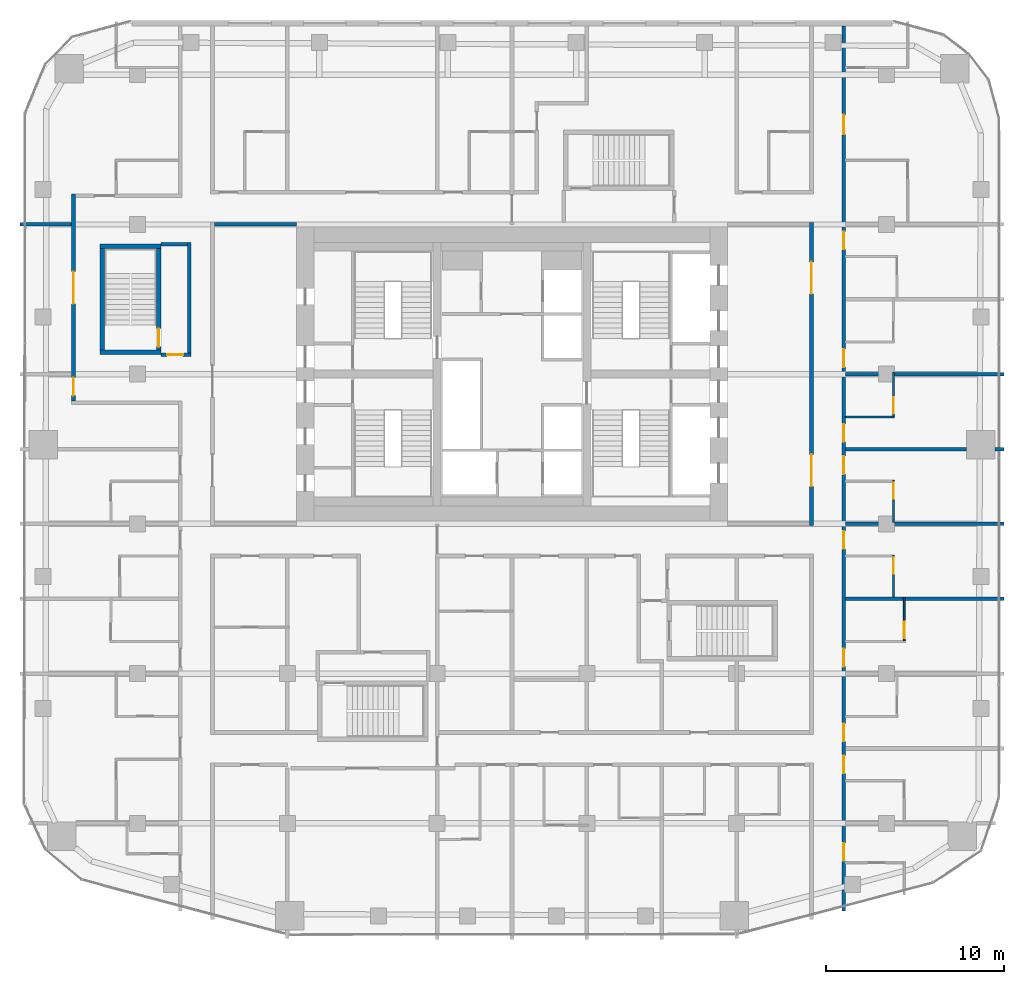
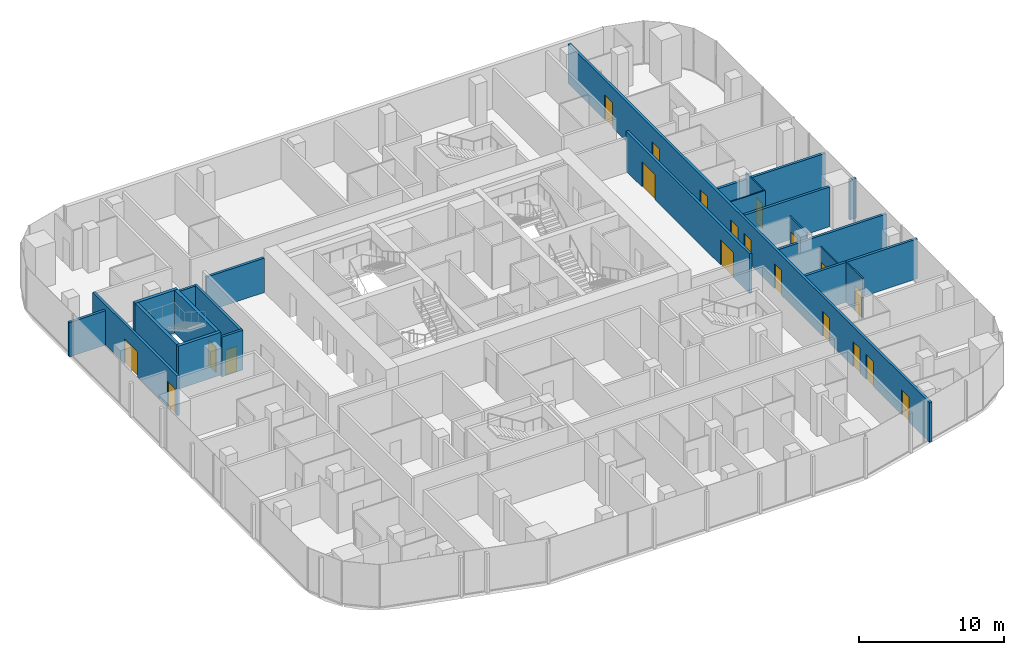
# One storey, part 18 of 23: 22 walls, 20 doors, 20 openings.
"""IFC4 building model written with IfcOpenShell, lengths in metres."""

import ifcopenshell
import ifcopenshell.guid

model = None  # the IFC model being written
_history = None  # IfcOwnerHistory: only IFC2X3 demands one
_inside = {}  # id of a spatial element -> (the spatial element, [elements in it])
_under = {}  # id of a project, library or spatial element -> (it, [spatial elements below it])
_declared = {}  # id of a project -> (the project, [libraries it declares])
_typed = {}  # id of a type object -> (the type object, [elements of that type])
_made_of = {}  # id of a material, layer set ... -> (it, [elements and type objects made of it])


def new_model(schema):
    """Start an empty IFC model of exactly this schema.

    Asked for "IFC4X3", IfcOpenShell would pick the latest addendum, in which some entities
    have other attributes; the version numbers below select the first issue.
    IFC2X3 requires an IfcOwnerHistory on every rooted entity: one is made here for all.
    """
    global model, _history
    if schema == "IFC4X3":
        model = ifcopenshell.file(schema_version=(4, 3, 0, 0))
    else:
        model = ifcopenshell.file(schema=schema)
    _inside.clear()
    _under.clear()
    _declared.clear()
    _typed.clear()
    _made_of.clear()
    _history = None
    if model.schema == "IFC2X3":
        org = make("IfcOrganization", Name="unknown")
        user = make(
            "IfcPersonAndOrganization",
            ThePerson=make("IfcPerson", FamilyName="unknown"),
            TheOrganization=org,
        )
        app = make(
            "IfcApplication",
            ApplicationDeveloper=org,
            Version="unknown",
            ApplicationFullName="unknown",
            ApplicationIdentifier="unknown",
        )
        _history = make(
            "IfcOwnerHistory",
            OwningUser=user,
            OwningApplication=app,
            ChangeAction="ADDED",
            CreationDate=0,
        )
    return model


def make(cls, **values):
    """One entity of the class cls with the attributes given. An attribute that is None is left unset."""
    return model.create_entity(
        cls, **{name: value for name, value in values.items() if value is not None}
    )


def rooted(cls, **values):
    """An entity with a GlobalId (a new one), such as an element, a storey or a relation."""
    return make(cls, GlobalId=ifcopenshell.guid.new(), OwnerHistory=_history, **values)


def si_unit(unit_type, name, prefix=None):
    """IfcSIUnit, for example si_unit("LENGTHUNIT", "METRE", prefix="MILLI")."""
    return make("IfcSIUnit", UnitType=unit_type, Prefix=prefix, Name=name)


def assignment(units):
    """IfcUnitAssignment: the units of a project."""
    return None if units is None else make("IfcUnitAssignment", Units=units)


def point(xyz):
    """IfcCartesianPoint."""
    return None if xyz is None else make("IfcCartesianPoint", Coordinates=xyz)


def direction(xyz):
    """IfcDirection."""
    return None if xyz is None else make("IfcDirection", DirectionRatios=xyz)


def frame(location, z_axis=None, x_axis=None):
    """IfcAxis2Placement3D, a coordinate frame: its origin and axes. An axis left out is left unset."""
    return make(
        "IfcAxis2Placement3D",
        Location=point(location),
        Axis=direction(z_axis),
        RefDirection=direction(x_axis),
    )


def frame_2d(location, x_axis=None):
    """IfcAxis2Placement2D, a coordinate frame in the plane: its origin and x axis."""
    return make(
        "IfcAxis2Placement2D", Location=point(location), RefDirection=direction(x_axis)
    )


def origin():
    """The frame at (0, 0, 0) with its axes left unset."""
    return frame((0.0, 0.0, 0.0))


def place(relative_to, where):
    """IfcLocalPlacement: puts the frame where relative to a parent placement (None: the world)."""
    return make(
        "IfcLocalPlacement", PlacementRelTo=relative_to, RelativePlacement=where
    )


def context(
    kind, dimensions, precision=None, world=None, true_north=None, identifier=None
):
    """IfcGeometricRepresentationContext, for example the 3D "Model" context."""
    return make(
        "IfcGeometricRepresentationContext",
        ContextIdentifier=identifier,
        ContextType=kind,
        CoordinateSpaceDimension=dimensions,
        Precision=precision,
        WorldCoordinateSystem=world,
        TrueNorth=true_north,
    )


def subcontext(parent, identifier, kind, view, scale=None):
    """IfcGeometricRepresentationSubContext, for example "Body" below "Model"."""
    return make(
        "IfcGeometricRepresentationSubContext",
        ContextIdentifier=identifier,
        ContextType=kind,
        ParentContext=parent,
        TargetScale=scale,
        TargetView=view,
    )


def project(units=None, contexts=None):
    """IfcProject with its units and contexts."""
    return rooted(
        "IfcProject",
        Name="project",
        RepresentationContexts=contexts,
        UnitsInContext=assignment(units),
    )


def spatial(cls, under=None, at=None, **own):
    """A site, building, storey or space (cls), placed at a placement, below another one or the project."""
    s = rooted(cls, ObjectPlacement=at, **own)
    if under is not None:
        _under.setdefault(under.id(), (under, []))[1].append(s)
    return s


def profile(cls, at=None, kind="AREA", **sizes):
    """A parametric profile (cls). Its sizes go by their IFC names, for example OverallWidth=200.0."""
    return make(cls, ProfileType=kind, Position=at, **sizes)


def rectangle(**sizes):
    """IfcRectangleProfileDef."""
    return profile("IfcRectangleProfileDef", **sizes)


def extrude(swept, where, along, depth):
    """IfcExtrudedAreaSolid: the profile swept, set in the frame where, extruded along a direction by depth."""
    return make(
        "IfcExtrudedAreaSolid",
        SweptArea=swept,
        Position=where,
        ExtrudedDirection=direction(along),
        Depth=depth,
    )


def shape(context_of_items, identifier, shape_type, items):
    """IfcShapeRepresentation: the items that make up one representation, for example the "Body"."""
    return make(
        "IfcShapeRepresentation",
        ContextOfItems=context_of_items,
        RepresentationIdentifier=identifier,
        RepresentationType=shape_type,
        Items=items,
    )


def material(Name=None, Category=None):
    """IfcMaterial."""
    return make("IfcMaterial", Name=Name, Category=Category)


def layer(
    of_material, thickness, ventilated=None, Name=None, Category=None, Priority=None
):
    """IfcMaterialLayer: one layer of a wall or slab, of a material (None: an air gap)."""
    return make(
        "IfcMaterialLayer",
        Material=of_material,
        LayerThickness=thickness,
        IsVentilated=ventilated,
        Name=Name,
        Category=Category,
        Priority=Priority,
    )


def layer_set(layers, Name=None):
    """IfcMaterialLayerSet."""
    return make("IfcMaterialLayerSet", MaterialLayers=layers, LayerSetName=Name)


def made_of(thing, what):
    """Note that an element or type object is made of a material, layer set ...; save() writes the relation."""
    if what is not None:
        _made_of.setdefault(what.id(), (what, []))[1].append(thing)
    return thing


def type_object(cls, material=None, **own):
    """A type object (cls), such as IfcWallType, which elements share."""
    return made_of(rooted(cls, **own), material)


def element(
    cls,
    number,
    at=None,
    inside=None,
    cuts=None,
    type_object=None,
    material=None,
    context=None,
    identifier="Body",
    shape_type=None,
    held_by="IfcProductDefinitionShape",
    body=None,
    shapes=None,
    **own,
):
    """One element of the class cls, such as IfcWall. Its Tag is "e" and its number.

    at: its placement. inside: the storey or other place that contains it. cuts: it is an
    opening in that element (IfcRelVoidsElement). A single representation is given by context,
    identifier, shape_type and body (its items); several are given by shapes. held_by: the class
    of the entity that holds the representations. save() writes the other relations.
    """
    e = rooted(cls, Tag="e%d" % number, ObjectPlacement=at, **own)
    if body is not None:
        shapes = [shape(context, identifier, shape_type, body)]
    if shapes is not None:
        e.Representation = make(held_by, Representations=shapes)
    if inside is not None:
        _inside.setdefault(inside.id(), (inside, []))[1].append(e)
    if cuts is not None:
        rooted(
            "IfcRelVoidsElement", RelatingBuildingElement=cuts, RelatedOpeningElement=e
        )
    if type_object is not None:
        _typed.setdefault(type_object.id(), (type_object, []))[1].append(e)
    return made_of(e, material)


def fill(opening, filler):
    """IfcRelFillsElement: the door or window that sits in an opening."""
    return rooted(
        "IfcRelFillsElement",
        RelatingOpeningElement=opening,
        RelatedBuildingElement=filler,
    )


def aggregate(whole, parts):
    """IfcRelAggregates: a whole, such as a stair, and the parts it consists of."""
    return rooted("IfcRelAggregates", RelatingObject=whole, RelatedObjects=parts)


def save(model, path):
    """Write the relations noted so far, then the file.

    IfcRelAggregates (storeys below a building ...), IfcRelContainedInSpatialStructure (elements
    in a storey), IfcRelDefinesByType, IfcRelAssociatesMaterial and IfcRelDeclares: one each for
    every whole, place, type object, material and project.
    """
    for whole, parts in _under.values():
        aggregate(whole, parts)
    for where, things in _inside.values():
        rooted(
            "IfcRelContainedInSpatialStructure",
            RelatedElements=things,
            RelatingStructure=where,
        )
    for kind, things in _typed.values():
        rooted("IfcRelDefinesByType", RelatedObjects=things, RelatingType=kind)
    for what, things in _made_of.values():
        rooted("IfcRelAssociatesMaterial", RelatedObjects=things, RelatingMaterial=what)
    for by, libraries in _declared.values():
        rooted("IfcRelDeclares", RelatingContext=by, RelatedDefinitions=libraries)
    model.write(path)


model = new_model("IFC4")

# Units and contexts
model_context = context("Model", 3, precision=1e-05, world=origin(), true_north=direction((0.0, 1.0)))
body_context = subcontext(model_context, "Body", "Model", "MODEL_VIEW")
ifc_project = project(units=[si_unit("LENGTHUNIT", "METRE"), si_unit("AREAUNIT", "SQUARE_METRE"), si_unit("VOLUMEUNIT", "CUBIC_METRE"), si_unit("PLANEANGLEUNIT", "RADIAN"), si_unit("MASSUNIT", "GRAM", prefix="KILO")], contexts=[model_context])

# Site, building, storey
site_placement = place(None, origin())
site = spatial("IfcSite", under=ifc_project, at=site_placement, CompositionType="ELEMENT")
building_placement = place(site_placement, origin())
building = spatial("IfcBuilding", under=site, at=building_placement, Name="Marenta Gate Hotel Tower", CompositionType="ELEMENT")
storey_placement = place(building_placement, frame((0.0, 0.0, 140.89990234375)))
storey = spatial("IfcBuildingStorey", under=building, at=storey_placement, Name="L32", CompositionType="ELEMENT", Elevation=140.89990234375)

# Wall
ifc_material_1 = material(Name="Concrete blockwork", Category="masonry")
ifc_layer_1 = layer(ifc_material_1, 0.199951171875)
ifc_layer_set_1 = layer_set([ifc_layer_1], Name="Concrete blockwork")
wall_type_1 = type_object("IfcWallType", Name="Core boundary wall 200 REI 180", PredefinedType="PARTITIONING", material=ifc_layer_set_1)
wall_1_placement = place(storey_placement, frame((-16.699951171875, 16.800048828125, 0.0), z_axis=(0.0, 0.0, 1.0), x_axis=(1.0, 0.0, 0.0)))
element("IfcWall", 1, at=wall_1_placement, inside=storey, type_object=wall_type_1, Name="L32-CP-EW-WN", PredefinedType="PARTITIONING", context=body_context, shape_type="SweptSolid", body=[
    extrude(rectangle(XDim=4.599853515625, YDim=0.199951171875, at=frame_2d((2.2998046875, 0.0))), origin(), (0.0, 0.0, 1.0), 2.89013671875),
])

# Wall, openings, doors
wall_2_placement = place(storey_placement, frame((16.800048828125, -0.10009765625, 0.0), z_axis=(0.0, 0.0, 1.0), x_axis=(0.0, 1.0, 0.0)))
wall_2 = element("IfcWall", 2, at=wall_2_placement, inside=storey, type_object=wall_type_1, Name="L32-CP-BW-E", PredefinedType="PARTITIONING", context=body_context, shape_type="SweptSolid", body=[
    extrude(rectangle(XDim=17.0, YDim=0.199951171875, at=frame_2d((8.5, 0.0))), origin(), (0.0, 0.0, 1.0), 3.340087890625),
])
opening_1_placement = place(wall_2_placement, frame((2.199951171875, 0.0, 0.0)))
opening_1 = element("IfcOpeningElement", 3, at=opening_1_placement, cuts=wall_2, Name="Opening ED-Ea-B", PredefinedType="OPENING", context=body_context, shape_type="SweptSolid", body=[
    extrude(rectangle(XDim=1.800048828125, YDim=2.10009765625, at=frame_2d((0.89990234375, 1.050048828125))), frame((0.0, 0.10009765625, 0.0), z_axis=(0.0, -1.0, 0.0), x_axis=(1.0, 0.0, 0.0)), (0.0, 0.0, 1.0), 0.199951171875),
])
opening_2_placement = place(wall_2_placement, frame((13.0, 0.0, 0.0)))
opening_2 = element("IfcOpeningElement", 4, at=opening_2_placement, cuts=wall_2, Name="Opening ED-Eb-B", PredefinedType="OPENING", context=body_context, shape_type="SweptSolid", body=[
    extrude(rectangle(XDim=1.800048828125, YDim=2.10009765625, at=frame_2d((0.89990234375, 1.050048828125))), frame((0.0, 0.10009765625, 0.0), z_axis=(0.0, -1.0, 0.0), x_axis=(1.0, 0.0, 0.0)), (0.0, 0.0, 1.0), 0.199951171875),
])
ifc_material_2 = material(Name="Steel", Category="steel")
door_type_1 = type_object("IfcDoorType", Name="Core lobby entrance door 1800x2100 EI 60", OperationType="DOUBLE_DOOR_SINGLE_SWING", PredefinedType="DOOR", material=ifc_material_2)
door_1_placement = place(opening_1_placement, origin())
door_1 = element("IfcDoor", 5, at=door_1_placement, inside=storey, type_object=door_type_1, Name="ED-Ea-B", OperationType="DOUBLE_DOOR_SINGLE_SWING", OverallHeight=2.10009765625, OverallWidth=1.800048828125, PredefinedType="DOOR", context=body_context, shape_type="SweptSolid", body=[
    extrude(rectangle(XDim=1.800048828125, YDim=2.10009765625, at=frame_2d((0.89990234375, 1.050048828125))), frame((0.0, 0.02490234375, 0.0), z_axis=(0.0, -1.0, 0.0), x_axis=(1.0, 0.0, 0.0)), (0.0, 0.0, 1.0), 0.050048828125),
])
fill(opening_1, door_1)
door_2_placement = place(opening_2_placement, origin())
door_2 = element("IfcDoor", 6, at=door_2_placement, inside=storey, type_object=door_type_1, Name="ED-Eb-B", OperationType="DOUBLE_DOOR_SINGLE_SWING", OverallHeight=2.10009765625, OverallWidth=1.800048828125, PredefinedType="DOOR", context=body_context, shape_type="SweptSolid", body=[
    extrude(rectangle(XDim=1.800048828125, YDim=2.10009765625, at=frame_2d((0.89990234375, 1.050048828125))), frame((0.0, 0.02490234375, 0.0), z_axis=(0.0, -1.0, 0.0), x_axis=(1.0, 0.0, 0.0)), (0.0, 0.0, 1.0), 0.050048828125),
])
fill(opening_2, door_2)

# Walls
ifc_material_3 = material(Name="Concrete C40", Category="concrete")
ifc_layer_2 = layer(ifc_material_3, 0.25)
ifc_layer_set_2 = layer_set([ifc_layer_2], Name="Concrete C40")
wall_type_2 = type_object("IfcWallType", Name="Remote stair enclosure wall 250 REI 180", PredefinedType="SHEAR", material=ifc_layer_set_2)
for number, where, z_axis, x_axis, name in (
    (7, (-23.10009765625, 9.625, 0.10009765625), (0.0, 0.0, 1.0), (1.0, 0.0, 0.0), "L32-RS-Z1-3-W1"),
    (8, (-23.10009765625, 15.574951171875, 0.10009765625), (0.0, 0.0, 1.0), (1.0, 0.0, 0.0), "L32-RS-Z1-3-W2"),
):
    element("IfcWall", number, at=place(storey_placement, frame(where, z_axis=z_axis, x_axis=x_axis)), inside=storey, type_object=wall_type_2, Name=name, PredefinedType="SHEAR", context=body_context, shape_type="SweptSolid", body=[
        extrude(rectangle(XDim=3.400146484375, YDim=0.25, at=frame_2d((1.7001953125, 0.0))), origin(), (0.0, 0.0, 1.0), 3.60009765625),
    ])
wall_3_placement = place(storey_placement, frame((-22.97509765625, 9.75, 0.10009765625), z_axis=(0.0, 0.0, 1.0), x_axis=(0.0, 1.0, 0.0)))
element("IfcWall", 9, at=wall_3_placement, inside=storey, type_object=wall_type_2, Name="L32-RS-Z1-3-W3", PredefinedType="SHEAR", context=body_context, shape_type="SweptSolid", body=[
    extrude(rectangle(XDim=5.699951171875, YDim=0.25, at=frame_2d((2.85009765625, 0.0))), origin(), (0.0, 0.0, 1.0), 3.60009765625),
])

# Wall, opening, door
wall_4_placement = place(storey_placement, frame((-19.824951171875, 9.75, 0.10009765625), z_axis=(0.0, 0.0, 1.0), x_axis=(0.0, 1.0, 0.0)))
wall_4 = element("IfcWall", 10, at=wall_4_placement, inside=storey, type_object=wall_type_2, Name="L32-RS-Z1-3-W4", PredefinedType="SHEAR", context=body_context, shape_type="SweptSolid", body=[
    extrude(rectangle(XDim=5.699951171875, YDim=0.25, at=frame_2d((2.85009765625, 0.0))), origin(), (0.0, 0.0, 1.0), 3.60009765625),
])
opening_3_placement = place(wall_4_placement, frame((0.199951171875, 0.0, 0.0)))
opening_3 = element("IfcOpeningElement", 11, at=opening_3_placement, cuts=wall_4, Name="Opening VD", PredefinedType="OPENING", context=body_context, shape_type="SweptSolid", body=[
    extrude(rectangle(XDim=1.0, YDim=2.10009765625, at=frame_2d((0.5, 1.050048828125))), frame((0.0, 0.125, 0.0), z_axis=(0.0, -1.0, 0.0), x_axis=(1.0, 0.0, 0.0)), (0.0, 0.0, 1.0), 0.25),
])
ifc_material_4 = material(Name="Steel", Category="steel")
door_type_2 = type_object("IfcDoorType", Name="Stair vestibule door 1000x2100 FD60", OperationType="SINGLE_SWING_LEFT", PredefinedType="DOOR", material=ifc_material_4)
door_3_placement = place(opening_3_placement, origin())
door_3 = element("IfcDoor", 12, at=door_3_placement, inside=storey, type_object=door_type_2, Name="VD", OperationType="SINGLE_SWING_LEFT", OverallHeight=2.10009765625, OverallWidth=1.0, PredefinedType="DOOR", context=body_context, shape_type="SweptSolid", body=[
    extrude(rectangle(XDim=1.0, YDim=2.10009765625, at=frame_2d((0.5, 1.050048828125))), frame((0.0, 0.02490234375, 0.0), z_axis=(0.0, -1.0, 0.0), x_axis=(1.0, 0.0, 0.0)), (0.0, 0.0, 1.0), 0.050048828125),
])
fill(opening_3, door_3)

# Wall, openings, doors
ifc_material_5 = material(Name="Gypsum board on steel stud", Category="steel")
ifc_layer_3 = layer(ifc_material_5, 0.199951171875)
ifc_layer_set_3 = layer_set([ifc_layer_3], Name="Gypsum board on steel stud")
wall_type_3 = type_object("IfcWallType", Name="Room corridor wall 200 EI 60", PredefinedType="PARTITIONING", material=ifc_layer_set_3)
wall_5_placement = place(storey_placement, frame((18.60009765625, -21.7080078125, 0.0), z_axis=(0.0, 0.0, 1.0), x_axis=(0.0, 1.0, 0.0)))
wall_5 = element("IfcWall", 13, at=wall_5_placement, inside=storey, type_object=wall_type_3, Name="L32-PTN-W013", PredefinedType="PARTITIONING", context=body_context, shape_type="SweptSolid", body=[
    extrude(rectangle(XDim=49.64794921875, YDim=0.199951171875, at=frame_2d((24.823974609375, 0.0))), origin(), (0.0, 0.0, 1.0), 3.340087890625),
])
opening_4_placement = place(wall_5_placement, frame((2.800048828125, 0.0, 0.0)))
opening_4 = element("IfcOpeningElement", 14, at=opening_4_placement, cuts=wall_5, Name="Opening G12-08", PredefinedType="OPENING", context=body_context, shape_type="SweptSolid", body=[
    extrude(rectangle(XDim=1.0, YDim=2.10009765625, at=frame_2d((0.5, 1.050048828125))), frame((0.0, 0.10009765625, 0.0), z_axis=(0.0, -1.0, 0.0), x_axis=(1.0, 0.0, 0.0)), (0.0, 0.0, 1.0), 0.199951171875),
])
opening_5_placement = place(wall_5_placement, frame((7.7080078125, 0.0, 0.0)))
opening_5 = element("IfcOpeningElement", 15, at=opening_5_placement, cuts=wall_5, Name="Opening G12-10", PredefinedType="OPENING", context=body_context, shape_type="SweptSolid", body=[
    extrude(rectangle(XDim=1.0, YDim=2.10009765625, at=frame_2d((0.5, 1.050048828125))), frame((0.0, 0.10009765625, 0.0), z_axis=(0.0, -1.0, 0.0), x_axis=(1.0, 0.0, 0.0)), (0.0, 0.0, 1.0), 0.199951171875),
])
opening_6_placement = place(wall_5_placement, frame((9.508056640625, 0.0, 0.0)))
opening_6 = element("IfcOpeningElement", 16, at=opening_6_placement, cuts=wall_5, Name="Opening G12-12", PredefinedType="OPENING", context=body_context, shape_type="SweptSolid", body=[
    extrude(rectangle(XDim=1.0, YDim=2.10009765625, at=frame_2d((0.5, 1.050048828125))), frame((0.0, 0.10009765625, 0.0), z_axis=(0.0, -1.0, 0.0), x_axis=(1.0, 0.0, 0.0)), (0.0, 0.0, 1.0), 0.199951171875),
])
opening_7_placement = place(wall_5_placement, frame((13.7080078125, 0.0, 0.0)))
opening_7 = element("IfcOpeningElement", 17, at=opening_7_placement, cuts=wall_5, Name="Opening G12-14", PredefinedType="OPENING", context=body_context, shape_type="SweptSolid", body=[
    extrude(rectangle(XDim=1.0, YDim=2.10009765625, at=frame_2d((0.5, 1.050048828125))), frame((0.0, 0.10009765625, 0.0), z_axis=(0.0, -1.0, 0.0), x_axis=(1.0, 0.0, 0.0)), (0.0, 0.0, 1.0), 0.199951171875),
])
opening_8_placement = place(wall_5_placement, frame((20.30810546875, 0.0, 0.0)))
opening_8 = element("IfcOpeningElement", 18, at=opening_8_placement, cuts=wall_5, Name="Opening G12-16", PredefinedType="OPENING", context=body_context, shape_type="SweptSolid", body=[
    extrude(rectangle(XDim=1.0, YDim=2.10009765625, at=frame_2d((0.5, 1.050048828125))), frame((0.0, 0.10009765625, 0.0), z_axis=(0.0, -1.0, 0.0), x_axis=(1.0, 0.0, 0.0)), (0.0, 0.0, 1.0), 0.199951171875),
])
opening_9_placement = place(wall_5_placement, frame((24.508056640625, 0.0, 0.0)))
opening_9 = element("IfcOpeningElement", 19, at=opening_9_placement, cuts=wall_5, Name="Opening G12-18", PredefinedType="OPENING", context=body_context, shape_type="SweptSolid", body=[
    extrude(rectangle(XDim=1.0, YDim=2.10009765625, at=frame_2d((0.5, 1.050048828125))), frame((0.0, 0.10009765625, 0.0), z_axis=(0.0, -1.0, 0.0), x_axis=(1.0, 0.0, 0.0)), (0.0, 0.0, 1.0), 0.199951171875),
])
opening_10_placement = place(wall_5_placement, frame((26.30810546875, 0.0, 0.0)))
opening_10 = element("IfcOpeningElement", 20, at=opening_10_placement, cuts=wall_5, Name="Opening G12-20", PredefinedType="OPENING", context=body_context, shape_type="SweptSolid", body=[
    extrude(rectangle(XDim=1.0, YDim=2.10009765625, at=frame_2d((0.5, 1.050048828125))), frame((0.0, 0.10009765625, 0.0), z_axis=(0.0, -1.0, 0.0), x_axis=(1.0, 0.0, 0.0)), (0.0, 0.0, 1.0), 0.199951171875),
])
opening_11_placement = place(wall_5_placement, frame((30.508056640625, 0.0, 0.0)))
opening_11 = element("IfcOpeningElement", 21, at=opening_11_placement, cuts=wall_5, Name="Opening G12-22", PredefinedType="OPENING", context=body_context, shape_type="SweptSolid", body=[
    extrude(rectangle(XDim=1.0, YDim=2.10009765625, at=frame_2d((0.5, 1.050048828125))), frame((0.0, 0.10009765625, 0.0), z_axis=(0.0, -1.0, 0.0), x_axis=(1.0, 0.0, 0.0)), (0.0, 0.0, 1.0), 0.199951171875),
])
opening_12_placement = place(wall_5_placement, frame((37.10791015625, 0.0, 0.0)))
opening_12 = element("IfcOpeningElement", 22, at=opening_12_placement, cuts=wall_5, Name="Opening G12-24", PredefinedType="OPENING", context=body_context, shape_type="SweptSolid", body=[
    extrude(rectangle(XDim=1.0, YDim=2.10009765625, at=frame_2d((0.5, 1.050048828125))), frame((0.0, 0.10009765625, 0.0), z_axis=(0.0, -1.0, 0.0), x_axis=(1.0, 0.0, 0.0)), (0.0, 0.0, 1.0), 0.199951171875),
])
opening_13_placement = place(wall_5_placement, frame((43.55810546875, 0.0, 0.0)))
opening_13 = element("IfcOpeningElement", 23, at=opening_13_placement, cuts=wall_5, Name="Opening G12-26", PredefinedType="OPENING", context=body_context, shape_type="SweptSolid", body=[
    extrude(rectangle(XDim=1.10009765625, YDim=2.10009765625, at=frame_2d((0.550048828125, 1.050048828125))), frame((0.0, 0.10009765625, 0.0), z_axis=(0.0, -1.0, 0.0), x_axis=(1.0, 0.0, 0.0)), (0.0, 0.0, 1.0), 0.199951171875),
])
ifc_material_6 = material(Name="Timber door leaf", Category="wood")
door_type_3 = type_object("IfcDoorType", Name="Guest room door 1000x2100 EI 30", OperationType="NOTDEFINED", PredefinedType="DOOR", material=ifc_material_6)
door_4_placement = place(opening_4_placement, origin())
door_4 = element("IfcDoor", 24, at=door_4_placement, inside=storey, type_object=door_type_3, Name="L32-PD-D008", OperationType="SINGLE_SWING_RIGHT", OverallHeight=2.10009765625, OverallWidth=1.0, PredefinedType="DOOR", context=body_context, shape_type="SweptSolid", body=[
    extrude(rectangle(XDim=1.0, YDim=2.10009765625, at=frame_2d((0.5, 1.050048828125))), frame((0.0, 0.02490234375, 0.0), z_axis=(0.0, -1.0, 0.0), x_axis=(1.0, 0.0, 0.0)), (0.0, 0.0, 1.0), 0.050048828125),
])
fill(opening_4, door_4)
door_5_placement = place(opening_5_placement, origin())
door_5 = element("IfcDoor", 25, at=door_5_placement, inside=storey, type_object=door_type_3, Name="L32-PD-D010", OperationType="SINGLE_SWING_RIGHT", OverallHeight=2.10009765625, OverallWidth=1.0, PredefinedType="DOOR", context=body_context, shape_type="SweptSolid", body=[
    extrude(rectangle(XDim=1.0, YDim=2.10009765625, at=frame_2d((0.5, 1.050048828125))), frame((0.0, 0.02490234375, 0.0), z_axis=(0.0, -1.0, 0.0), x_axis=(1.0, 0.0, 0.0)), (0.0, 0.0, 1.0), 0.050048828125),
])
fill(opening_5, door_5)
door_6_placement = place(opening_6_placement, origin())
door_6 = element("IfcDoor", 26, at=door_6_placement, inside=storey, type_object=door_type_3, Name="L32-PD-D012", OperationType="SINGLE_SWING_RIGHT", OverallHeight=2.10009765625, OverallWidth=1.0, PredefinedType="DOOR", context=body_context, shape_type="SweptSolid", body=[
    extrude(rectangle(XDim=1.0, YDim=2.10009765625, at=frame_2d((0.5, 1.050048828125))), frame((0.0, 0.02490234375, 0.0), z_axis=(0.0, -1.0, 0.0), x_axis=(1.0, 0.0, 0.0)), (0.0, 0.0, 1.0), 0.050048828125),
])
fill(opening_6, door_6)
door_7_placement = place(opening_7_placement, origin())
door_7 = element("IfcDoor", 27, at=door_7_placement, inside=storey, type_object=door_type_3, Name="L32-PD-D014", OperationType="SINGLE_SWING_RIGHT", OverallHeight=2.10009765625, OverallWidth=1.0, PredefinedType="DOOR", context=body_context, shape_type="SweptSolid", body=[
    extrude(rectangle(XDim=1.0, YDim=2.10009765625, at=frame_2d((0.5, 1.050048828125))), frame((0.0, 0.02490234375, 0.0), z_axis=(0.0, -1.0, 0.0), x_axis=(1.0, 0.0, 0.0)), (0.0, 0.0, 1.0), 0.050048828125),
])
fill(opening_7, door_7)
door_8_placement = place(opening_8_placement, origin())
door_8 = element("IfcDoor", 28, at=door_8_placement, inside=storey, type_object=door_type_3, Name="L32-PD-D016", OperationType="SINGLE_SWING_RIGHT", OverallHeight=2.10009765625, OverallWidth=1.0, PredefinedType="DOOR", context=body_context, shape_type="SweptSolid", body=[
    extrude(rectangle(XDim=1.0, YDim=2.10009765625, at=frame_2d((0.5, 1.050048828125))), frame((0.0, 0.02490234375, 0.0), z_axis=(0.0, -1.0, 0.0), x_axis=(1.0, 0.0, 0.0)), (0.0, 0.0, 1.0), 0.050048828125),
])
fill(opening_8, door_8)
door_9_placement = place(opening_9_placement, origin())
door_9 = element("IfcDoor", 29, at=door_9_placement, inside=storey, type_object=door_type_3, Name="L32-PD-D018", OperationType="SINGLE_SWING_RIGHT", OverallHeight=2.10009765625, OverallWidth=1.0, PredefinedType="DOOR", context=body_context, shape_type="SweptSolid", body=[
    extrude(rectangle(XDim=1.0, YDim=2.10009765625, at=frame_2d((0.5, 1.050048828125))), frame((0.0, 0.02490234375, 0.0), z_axis=(0.0, -1.0, 0.0), x_axis=(1.0, 0.0, 0.0)), (0.0, 0.0, 1.0), 0.050048828125),
])
fill(opening_9, door_9)
door_10_placement = place(opening_10_placement, origin())
door_10 = element("IfcDoor", 30, at=door_10_placement, inside=storey, type_object=door_type_3, Name="L32-PD-D020", OperationType="SINGLE_SWING_RIGHT", OverallHeight=2.10009765625, OverallWidth=1.0, PredefinedType="DOOR", context=body_context, shape_type="SweptSolid", body=[
    extrude(rectangle(XDim=1.0, YDim=2.10009765625, at=frame_2d((0.5, 1.050048828125))), frame((0.0, 0.02490234375, 0.0), z_axis=(0.0, -1.0, 0.0), x_axis=(1.0, 0.0, 0.0)), (0.0, 0.0, 1.0), 0.050048828125),
])
fill(opening_10, door_10)
door_11_placement = place(opening_11_placement, origin())
door_11 = element("IfcDoor", 31, at=door_11_placement, inside=storey, type_object=door_type_3, Name="L32-PD-D022", OperationType="SINGLE_SWING_RIGHT", OverallHeight=2.10009765625, OverallWidth=1.0, PredefinedType="DOOR", context=body_context, shape_type="SweptSolid", body=[
    extrude(rectangle(XDim=1.0, YDim=2.10009765625, at=frame_2d((0.5, 1.050048828125))), frame((0.0, 0.02490234375, 0.0), z_axis=(0.0, -1.0, 0.0), x_axis=(1.0, 0.0, 0.0)), (0.0, 0.0, 1.0), 0.050048828125),
])
fill(opening_11, door_11)
door_12_placement = place(opening_12_placement, origin())
door_12 = element("IfcDoor", 32, at=door_12_placement, inside=storey, type_object=door_type_3, Name="L32-PD-D024", OperationType="SINGLE_SWING_RIGHT", OverallHeight=2.10009765625, OverallWidth=1.0, PredefinedType="DOOR", context=body_context, shape_type="SweptSolid", body=[
    extrude(rectangle(XDim=1.0, YDim=2.10009765625, at=frame_2d((0.5, 1.050048828125))), frame((0.0, 0.02490234375, 0.0), z_axis=(0.0, -1.0, 0.0), x_axis=(1.0, 0.0, 0.0)), (0.0, 0.0, 1.0), 0.050048828125),
])
fill(opening_12, door_12)
ifc_material_7 = material(Name="Timber door leaf", Category="wood")
door_type_4 = type_object("IfcDoorType", Name="Guest room door 1100x2100 EI 30", OperationType="NOTDEFINED", PredefinedType="DOOR", material=ifc_material_7)
door_13_placement = place(opening_13_placement, origin())
door_13 = element("IfcDoor", 33, at=door_13_placement, inside=storey, type_object=door_type_4, Name="L32-PD-D026", OperationType="SINGLE_SWING_RIGHT", OverallHeight=2.10009765625, OverallWidth=1.10009765625, PredefinedType="DOOR", context=body_context, shape_type="SweptSolid", body=[
    extrude(rectangle(XDim=1.10009765625, YDim=2.10009765625, at=frame_2d((0.550048828125, 1.050048828125))), frame((0.0, 0.02490234375, 0.0), z_axis=(0.0, -1.0, 0.0), x_axis=(1.0, 0.0, 0.0)), (0.0, 0.0, 1.0), 0.050048828125),
])
fill(opening_13, door_13)

wall_6_placement = place(storey_placement, frame((-24.60009765625, 6.89990234375, 0.0), z_axis=(0.0, 0.0, 1.0), x_axis=(0.0, 1.0, 0.0)))
wall_6 = element("IfcWall", 34, at=wall_6_placement, inside=storey, type_object=wall_type_3, Name="L32-PTN-W128", PredefinedType="PARTITIONING", context=body_context, shape_type="SweptSolid", body=[
    extrude(rectangle(XDim=11.60009765625, YDim=0.199951171875, at=frame_2d((5.800048828125, 0.0))), origin(), (0.0, 0.0, 1.0), 3.340087890625),
])
opening_14_placement = place(wall_6_placement, frame((5.449951171875, 0.0, 0.0)))
opening_14 = element("IfcOpeningElement", 35, at=opening_14_placement, cuts=wall_6, Name="Opening G12-61", PredefinedType="OPENING", context=body_context, shape_type="SweptSolid", body=[
    extrude(rectangle(XDim=1.800048828125, YDim=2.10009765625, at=frame_2d((0.89990234375, 1.050048828125))), frame((0.0, 0.10009765625, 0.0), z_axis=(0.0, -1.0, 0.0), x_axis=(1.0, 0.0, 0.0)), (0.0, 0.0, 1.0), 0.199951171875),
])
opening_15_placement = place(wall_6_placement, frame((0.300048828125, 0.0, 0.0)))
opening_15 = element("IfcOpeningElement", 36, at=opening_15_placement, cuts=wall_6, Name="Opening G12-69", PredefinedType="OPENING", context=body_context, shape_type="SweptSolid", body=[
    extrude(rectangle(XDim=1.0, YDim=2.10009765625, at=frame_2d((0.5, 1.050048828125))), frame((0.0, 0.10009765625, 0.0), z_axis=(0.0, -1.0, 0.0), x_axis=(1.0, 0.0, 0.0)), (0.0, 0.0, 1.0), 0.199951171875),
])
ifc_material_8 = material(Name="Timber door leaf", Category="wood")
door_type_5 = type_object("IfcDoorType", Name="Room amenity door 1000x2100 EI 30", OperationType="NOTDEFINED", PredefinedType="DOOR", material=ifc_material_8)
door_14_placement = place(opening_15_placement, origin())
door_14 = element("IfcDoor", 37, at=door_14_placement, inside=storey, type_object=door_type_5, Name="L32-PD-D069", OperationType="SINGLE_SWING_LEFT", OverallHeight=2.10009765625, OverallWidth=1.0, PredefinedType="DOOR", context=body_context, shape_type="SweptSolid", body=[
    extrude(rectangle(XDim=1.0, YDim=2.10009765625, at=frame_2d((0.5, 1.050048828125))), frame((0.0, 0.02490234375, 0.0), z_axis=(0.0, -1.0, 0.0), x_axis=(1.0, 0.0, 0.0)), (0.0, 0.0, 1.0), 0.050048828125),
])
fill(opening_15, door_14)
ifc_material_9 = material(Name="Timber door leaf", Category="wood")
door_type_6 = type_object("IfcDoorType", Name="Room amenity door 1800x2100 EI 30", OperationType="DOUBLE_DOOR_SINGLE_SWING", PredefinedType="DOOR", material=ifc_material_9)
door_15_placement = place(opening_14_placement, origin())
door_15 = element("IfcDoor", 38, at=door_15_placement, inside=storey, type_object=door_type_6, Name="L32-PD-D061", OperationType="DOUBLE_DOOR_SINGLE_SWING", OverallHeight=2.10009765625, OverallWidth=1.800048828125, PredefinedType="DOOR", context=body_context, shape_type="SweptSolid", body=[
    extrude(rectangle(XDim=1.800048828125, YDim=2.10009765625, at=frame_2d((0.89990234375, 1.050048828125))), frame((0.0, 0.02490234375, 0.0), z_axis=(0.0, -1.0, 0.0), x_axis=(1.0, 0.0, 0.0)), (0.0, 0.0, 1.0), 0.050048828125),
])
fill(opening_14, door_15)

# Wall, opening, door
ifc_material_10 = material(Name="Concrete blockwork", Category="masonry")
ifc_layer_4 = layer(ifc_material_10, 0.199951171875)
ifc_layer_set_4 = layer_set([ifc_layer_4], Name="Concrete blockwork")
wall_type_4 = type_object("IfcWallType", Name="Room corridor wall 200 REI 180", PredefinedType="PARTITIONING", material=ifc_layer_set_4)
wall_7_placement = place(storey_placement, frame((-19.699951171875, 9.5, 0.0), z_axis=(0.0, 0.0, 1.0), x_axis=(1.0, 0.0, 0.0)))
wall_7 = element("IfcWall", 39, at=wall_7_placement, inside=storey, type_object=wall_type_4, Name="L32-PTN-W093", PredefinedType="PARTITIONING", context=body_context, shape_type="SweptSolid", body=[
    extrude(rectangle(XDim=1.699951171875, YDim=0.199951171875, at=frame_2d((0.85009765625, 0.0))), origin(), (0.0, 0.0, 1.0), 3.340087890625),
])
opening_16_placement = place(wall_7_placement, frame((0.35009765625, 0.0, 0.0)))
opening_16 = element("IfcOpeningElement", 40, at=opening_16_placement, cuts=wall_7, Name="Opening G12-65", PredefinedType="OPENING", context=body_context, shape_type="SweptSolid", body=[
    extrude(rectangle(XDim=0.89990234375, YDim=2.10009765625, at=frame_2d((0.449951171875, 1.050048828125))), frame((0.0, 0.10009765625, 0.0), z_axis=(0.0, -1.0, 0.0), x_axis=(1.0, 0.0, 0.0)), (0.0, 0.0, 1.0), 0.199951171875),
])
ifc_material_11 = material(Name="Hollow steel door set", Category="steel")
door_type_7 = type_object("IfcDoorType", Name="Stair vestibule door 900x2100 EI 60", OperationType="NOTDEFINED", PredefinedType="DOOR", material=ifc_material_11)
door_16_placement = place(opening_16_placement, origin())
door_16 = element("IfcDoor", 41, at=door_16_placement, inside=storey, type_object=door_type_7, Name="L32-PD-D065", OperationType="SINGLE_SWING_RIGHT", OverallHeight=2.10009765625, OverallWidth=0.89990234375, PredefinedType="DOOR", context=body_context, shape_type="SweptSolid", body=[
    extrude(rectangle(XDim=0.89990234375, YDim=2.10009765625, at=frame_2d((0.449951171875, 1.050048828125))), frame((0.0, 0.02490234375, 0.0), z_axis=(0.0, -1.0, 0.0), x_axis=(1.0, 0.0, 0.0)), (0.0, 0.0, 1.0), 0.050048828125),
])
fill(opening_16, door_16)

# Walls
wall_8_placement = place(storey_placement, frame((-19.699951171875, 15.699951171875, 0.0), z_axis=(0.0, 0.0, 1.0), x_axis=(1.0, 0.0, 0.0)))
element("IfcWall", 42, at=wall_8_placement, inside=storey, type_object=wall_type_4, Name="L32-PTN-W102", PredefinedType="PARTITIONING", context=body_context, shape_type="SweptSolid", body=[
    extrude(rectangle(XDim=1.5, YDim=0.199951171875, at=frame_2d((0.75, 0.0))), origin(), (0.0, 0.0, 1.0), 3.340087890625),
])
wall_9_placement = place(storey_placement, frame((-18.10009765625, 9.60009765625, 0.0), z_axis=(0.0, 0.0, 1.0), x_axis=(0.0, 1.0, 0.0)))
element("IfcWall", 43, at=wall_9_placement, inside=storey, type_object=wall_type_4, Name="L32-PTN-W108", PredefinedType="PARTITIONING", context=body_context, shape_type="SweptSolid", body=[
    extrude(rectangle(XDim=6.199951171875, YDim=0.199951171875, at=frame_2d((3.10009765625, 0.0))), origin(), (0.0, 0.0, 1.0), 3.340087890625),
])

# Wall, opening, door
ifc_material_12 = material(Name="Gypsum board on steel stud", Category="steel")
ifc_layer_5 = layer(ifc_material_12, 0.10009765625)
ifc_layer_set_5 = layer_set([ifc_layer_5], Name="Gypsum board on steel stud")
wall_type_5 = type_object("IfcWallType", Name="Room partition 100", PredefinedType="PARTITIONING", material=ifc_layer_set_5)
wall_10_placement = place(storey_placement, frame((22.0, -6.550048828125, 0.0), z_axis=(0.0, 0.0, 1.0), x_axis=(0.0, 1.0, 0.0)))
wall_10 = element("IfcWall", 44, at=wall_10_placement, inside=storey, type_object=wall_type_5, Name="L32-PTN-W005", PredefinedType="PARTITIONING", context=body_context, shape_type="SweptSolid", body=[
    extrude(rectangle(XDim=2.449951171875, YDim=0.10009765625, at=frame_2d((1.22509765625, 0.0))), origin(), (0.0, 0.0, 1.0), 3.340087890625),
])
opening_17_placement = place(wall_10_placement, frame((0.14990234375, 0.0, 0.0)))
opening_17 = element("IfcOpeningElement", 45, at=opening_17_placement, cuts=wall_10, Name="Opening G12-15", PredefinedType="OPENING", context=body_context, shape_type="SweptSolid", body=[
    extrude(rectangle(XDim=0.89990234375, YDim=2.10009765625, at=frame_2d((0.449951171875, 1.050048828125))), frame((0.0, 0.050048828125, 0.0), z_axis=(0.0, -1.0, 0.0), x_axis=(1.0, 0.0, 0.0)), (0.0, 0.0, 1.0), 0.10009765625),
])
ifc_material_13 = material(Name="Timber door leaf", Category="wood")
door_type_8 = type_object("IfcDoorType", Name="Guest bathroom door 900x2100", OperationType="NOTDEFINED", PredefinedType="DOOR", material=ifc_material_13)
door_17_placement = place(opening_17_placement, origin())
door_17 = element("IfcDoor", 46, at=door_17_placement, inside=storey, type_object=door_type_8, Name="L32-PD-D015", OperationType="SINGLE_SWING_LEFT", OverallHeight=2.10009765625, OverallWidth=0.89990234375, PredefinedType="DOOR", context=body_context, shape_type="SweptSolid", body=[
    extrude(rectangle(XDim=0.89990234375, YDim=2.10009765625, at=frame_2d((0.449951171875, 1.050048828125))), frame((0.0, 0.02490234375, 0.0), z_axis=(0.0, -1.0, 0.0), x_axis=(1.0, 0.0, 0.0)), (0.0, 0.0, 1.0), 0.050048828125),
])
fill(opening_17, door_17)

wall_11_placement = place(storey_placement, frame((21.39990234375, -4.10009765625, 0.0), z_axis=(0.0, 0.0, 1.0), x_axis=(0.0, 1.0, 0.0)))
wall_11 = element("IfcWall", 47, at=wall_11_placement, inside=storey, type_object=wall_type_5, Name="L32-PTN-W008", PredefinedType="PARTITIONING", context=body_context, shape_type="SweptSolid", body=[
    extrude(rectangle(XDim=2.35009765625, YDim=0.10009765625, at=frame_2d((1.175048828125, 0.0))), origin(), (0.0, 0.0, 1.0), 3.340087890625),
])
opening_18_placement = place(wall_11_placement, frame((1.300048828125, 0.0, 0.0)))
opening_18 = element("IfcOpeningElement", 48, at=opening_18_placement, cuts=wall_11, Name="Opening G12-17", PredefinedType="OPENING", context=body_context, shape_type="SweptSolid", body=[
    extrude(rectangle(XDim=0.89990234375, YDim=2.10009765625, at=frame_2d((0.449951171875, 1.050048828125))), frame((0.0, 0.050048828125, 0.0), z_axis=(0.0, -1.0, 0.0), x_axis=(1.0, 0.0, 0.0)), (0.0, 0.0, 1.0), 0.10009765625),
])
door_18_placement = place(opening_18_placement, origin())
door_18 = element("IfcDoor", 49, at=door_18_placement, inside=storey, type_object=door_type_8, Name="L32-PD-D017", OperationType="SINGLE_SWING_RIGHT", OverallHeight=2.10009765625, OverallWidth=0.89990234375, PredefinedType="DOOR", context=body_context, shape_type="SweptSolid", body=[
    extrude(rectangle(XDim=0.89990234375, YDim=2.10009765625, at=frame_2d((0.449951171875, 1.050048828125))), frame((0.0, 0.02490234375, 0.0), z_axis=(0.0, -1.0, 0.0), x_axis=(1.0, 0.0, 0.0)), (0.0, 0.0, 1.0), 0.050048828125),
])
fill(opening_18, door_18)

wall_12_placement = place(storey_placement, frame((21.39990234375, 0.10009765625, 0.0), z_axis=(0.0, 0.0, 1.0), x_axis=(0.0, 1.0, 0.0)))
wall_12 = element("IfcWall", 50, at=wall_12_placement, inside=storey, type_object=wall_type_5, Name="L32-PTN-W009", PredefinedType="PARTITIONING", context=body_context, shape_type="SweptSolid", body=[
    extrude(rectangle(XDim=2.349853515625, YDim=0.10009765625, at=frame_2d((1.1748046875, 0.0))), origin(), (0.0, 0.0, 1.0), 3.340087890625),
])
opening_19_placement = place(wall_12_placement, frame((1.300048828125, 0.0, 0.0)))
opening_19 = element("IfcOpeningElement", 51, at=opening_19_placement, cuts=wall_12, Name="Opening G12-19", PredefinedType="OPENING", context=body_context, shape_type="SweptSolid", body=[
    extrude(rectangle(XDim=0.89990234375, YDim=2.10009765625, at=frame_2d((0.449951171875, 1.050048828125))), frame((0.0, 0.050048828125, 0.0), z_axis=(0.0, -1.0, 0.0), x_axis=(1.0, 0.0, 0.0)), (0.0, 0.0, 1.0), 0.10009765625),
])
door_19_placement = place(opening_19_placement, origin())
door_19 = element("IfcDoor", 52, at=door_19_placement, inside=storey, type_object=door_type_8, Name="L32-PD-D019", OperationType="SINGLE_SWING_RIGHT", OverallHeight=2.10009765625, OverallWidth=0.89990234375, PredefinedType="DOOR", context=body_context, shape_type="SweptSolid", body=[
    extrude(rectangle(XDim=0.89990234375, YDim=2.10009765625, at=frame_2d((0.449951171875, 1.050048828125))), frame((0.0, 0.02490234375, 0.0), z_axis=(0.0, -1.0, 0.0), x_axis=(1.0, 0.0, 0.0)), (0.0, 0.0, 1.0), 0.050048828125),
])
fill(opening_19, door_19)

wall_13_placement = place(storey_placement, frame((21.39990234375, 6.050048828125, 0.0), z_axis=(0.0, 0.0, 1.0), x_axis=(0.0, 1.0, 0.0)))
wall_13 = element("IfcWall", 53, at=wall_13_placement, inside=storey, type_object=wall_type_5, Name="L32-PTN-W010", PredefinedType="PARTITIONING", context=body_context, shape_type="SweptSolid", body=[
    extrude(rectangle(XDim=2.449951171875, YDim=0.10009765625, at=frame_2d((1.22509765625, 0.0))), origin(), (0.0, 0.0, 1.0), 3.340087890625),
])
opening_20_placement = place(wall_13_placement, frame((0.14990234375, 0.0, 0.0)))
opening_20 = element("IfcOpeningElement", 54, at=opening_20_placement, cuts=wall_13, Name="Opening G12-21", PredefinedType="OPENING", context=body_context, shape_type="SweptSolid", body=[
    extrude(rectangle(XDim=0.89990234375, YDim=2.10009765625, at=frame_2d((0.449951171875, 1.050048828125))), frame((0.0, 0.050048828125, 0.0), z_axis=(0.0, -1.0, 0.0), x_axis=(1.0, 0.0, 0.0)), (0.0, 0.0, 1.0), 0.10009765625),
])
door_20_placement = place(opening_20_placement, origin())
door_20 = element("IfcDoor", 55, at=door_20_placement, inside=storey, type_object=door_type_8, Name="L32-PD-D021", OperationType="SINGLE_SWING_LEFT", OverallHeight=2.10009765625, OverallWidth=0.89990234375, PredefinedType="DOOR", context=body_context, shape_type="SweptSolid", body=[
    extrude(rectangle(XDim=0.89990234375, YDim=2.10009765625, at=frame_2d((0.449951171875, 1.050048828125))), frame((0.0, 0.02490234375, 0.0), z_axis=(0.0, -1.0, 0.0), x_axis=(1.0, 0.0, 0.0)), (0.0, 0.0, 1.0), 0.050048828125),
])
fill(opening_20, door_20)

# Walls
wall_14_placement = place(storey_placement, frame((18.699951171875, 6.0, 0.0), z_axis=(0.0, 0.0, 1.0), x_axis=(1.0, 0.0, 0.0)))
element("IfcWall", 56, at=wall_14_placement, inside=storey, type_object=wall_type_5, Name="L32-PTN-W088", PredefinedType="PARTITIONING", context=body_context, shape_type="SweptSolid", body=[
    extrude(rectangle(XDim=2.75, YDim=0.10009765625, at=frame_2d((1.375, 0.0))), origin(), (0.0, 0.0, 1.0), 3.340087890625),
])
ifc_material_14 = material(Name="Gypsum board on steel stud", Category="steel")
ifc_layer_6 = layer(ifc_material_14, 0.199951171875)
ifc_layer_set_6 = layer_set([ifc_layer_6], Name="Gypsum board on steel stud")
wall_type_6 = type_object("IfcWallType", Name="Room party wall 200 EI 60", PredefinedType="PARTITIONING", material=ifc_layer_set_6)
wall_15_placement = place(storey_placement, frame((18.699951171875, -4.199951171875, 0.0), z_axis=(0.0, 0.0, 1.0), x_axis=(1.0, 0.0, 0.0)))
element("IfcWall", 57, at=wall_15_placement, inside=storey, type_object=wall_type_6, Name="L32-PTN-W064", PredefinedType="PARTITIONING", context=body_context, shape_type="SweptSolid", body=[
    extrude(rectangle(XDim=8.900146484375, YDim=0.199951171875, at=frame_2d((4.4501953125, 0.0))), origin(), (0.0, 0.0, 1.0), 3.340087890625),
])
wall_16_placement = place(storey_placement, frame((18.699951171875, 0.0, 0.0), z_axis=(0.0, 0.0, 1.0), x_axis=(1.0, 0.0, 0.0)))
element("IfcWall", 58, at=wall_16_placement, inside=storey, type_object=wall_type_6, Name="L32-PTN-W077", PredefinedType="PARTITIONING", context=body_context, shape_type="SweptSolid", body=[
    extrude(rectangle(XDim=8.900146484375, YDim=0.199951171875, at=frame_2d((4.4501953125, 0.0))), origin(), (0.0, 0.0, 1.0), 2.89013671875),
])
wall_17_placement = place(storey_placement, frame((18.699951171875, 4.199951171875, 0.0), z_axis=(0.0, 0.0, 1.0), x_axis=(1.0, 0.0, 0.0)))
element("IfcWall", 59, at=wall_17_placement, inside=storey, type_object=wall_type_6, Name="L32-PTN-W086", PredefinedType="PARTITIONING", context=body_context, shape_type="SweptSolid", body=[
    extrude(rectangle(XDim=6.800048828125, YDim=0.199951171875, at=frame_2d((3.39990234375, 0.0))), origin(), (0.0, 0.0, 1.0), 3.340087890625),
])
wall_18_placement = place(storey_placement, frame((27.10009765625, 4.199951171875, 0.0), z_axis=(0.0, 0.0, 1.0), x_axis=(1.0, 0.0, 0.0)))
element("IfcWall", 60, at=wall_18_placement, inside=storey, type_object=wall_type_6, Name="L32-PTN-W135", PredefinedType="PARTITIONING", context=body_context, shape_type="SweptSolid", body=[
    extrude(rectangle(XDim=0.5, YDim=0.199951171875, at=frame_2d((0.25, 0.0))), origin(), (0.0, 0.0, 1.0), 3.340087890625),
])
wall_19_placement = place(storey_placement, frame((18.699951171875, 8.39990234375, 0.0), z_axis=(0.0, 0.0, 1.0), x_axis=(1.0, 0.0, 0.0)))
element("IfcWall", 61, at=wall_19_placement, inside=storey, type_object=wall_type_6, Name="L32-PTN-W091", PredefinedType="PARTITIONING", context=body_context, shape_type="SweptSolid", body=[
    extrude(rectangle(XDim=8.900146484375, YDim=0.199951171875, at=frame_2d((4.4501953125, 0.0))), origin(), (0.0, 0.0, 1.0), 2.89013671875),
])
wall_20_placement = place(storey_placement, frame((-27.60009765625, 16.800048828125, 0.0), z_axis=(0.0, 0.0, 1.0), x_axis=(1.0, 0.0, 0.0)))
element("IfcWall", 62, at=wall_20_placement, inside=storey, type_object=wall_type_6, Name="L32-PTN-W106", PredefinedType="PARTITIONING", context=body_context, shape_type="SweptSolid", body=[
    extrude(rectangle(XDim=2.900146484375, YDim=0.199951171875, at=frame_2d((1.4501953125, 0.0))), origin(), (0.0, 0.0, 1.0), 2.89013671875),
])

save(model, "model.ifc")
